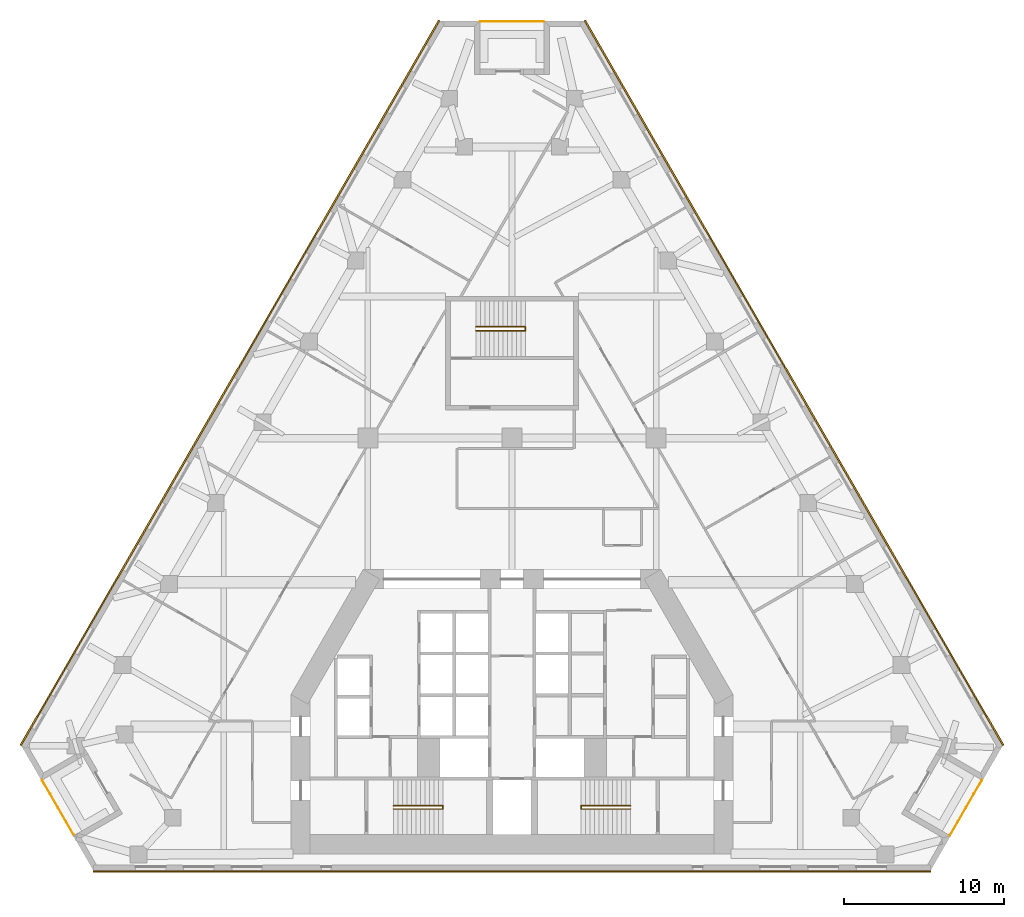
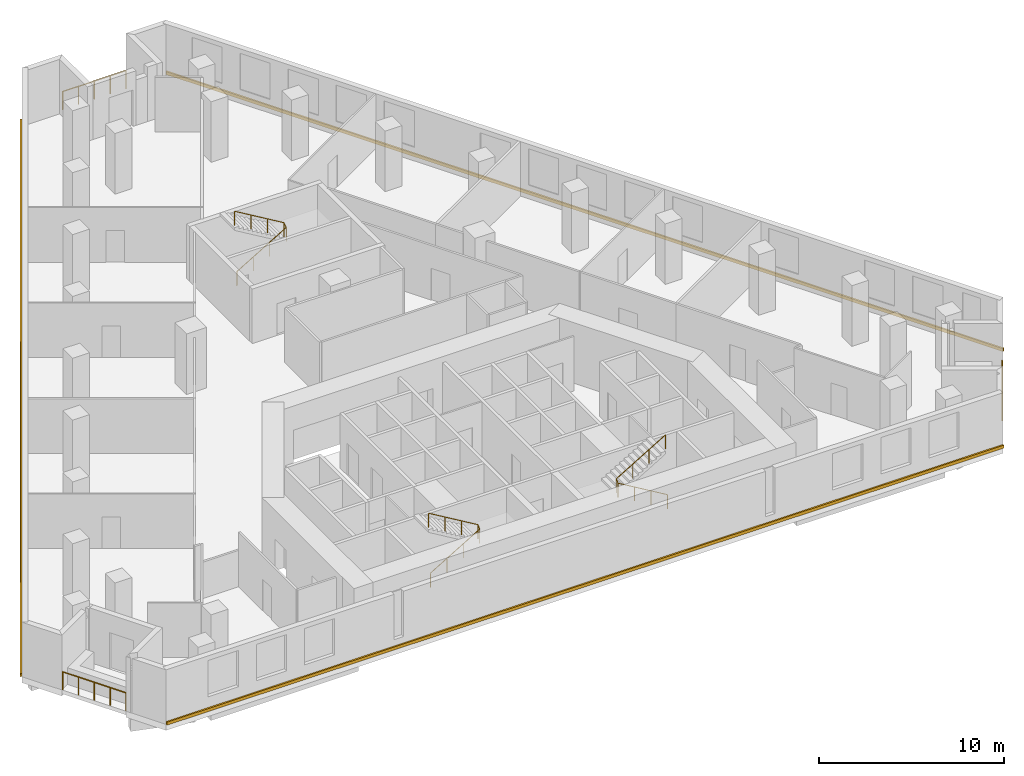
# One storey, part 9 of 9: 6 railings, 3 coverings.
"""IFC4 building model written with IfcOpenShell, lengths in metres."""

from ifc_helpers import new_model, si_unit, direction, frame, origin, origin_2d, place, context, subcontext, project, spatial, polyline, circle, outline, extrude, material, type_object, element, save


model = new_model("IFC4")

# Units and contexts
model_context = context("Model", 3, precision=1e-05, world=origin(), true_north=direction((0.0, 1.0)))
body_context = subcontext(model_context, "Body", "Model", "MODEL_VIEW")
ifc_project = project(units=[si_unit("LENGTHUNIT", "METRE"), si_unit("AREAUNIT", "SQUARE_METRE"), si_unit("VOLUMEUNIT", "CUBIC_METRE"), si_unit("PLANEANGLEUNIT", "RADIAN"), si_unit("MASSUNIT", "GRAM", prefix="KILO")], contexts=[model_context])

# Site, building, storey
site_placement = place(None, origin())
site = spatial("IfcSite", under=ifc_project, at=site_placement, CompositionType="ELEMENT")
building_placement = place(site_placement, origin())
building = spatial("IfcBuilding", under=site, at=building_placement, Name="Fogline Exchange Tower", CompositionType="ELEMENT")
storey_placement = place(building_placement, frame((0.0, 0.0, 100.10009765625)))
storey = spatial("IfcBuildingStorey", under=building, at=storey_placement, Name="L21", CompositionType="ELEMENT", Elevation=100.10009765625)

# Railings
ifc_material_1 = material(Name="Stainless steel 304", Category="steel")
railing_type_1 = type_object("IfcRailingType", Name="G1", PredefinedType="GUARDRAIL", material=ifc_material_1)
railing_1_placement = place(storey_placement, frame((-29.334228515625, 5.635986328125, 0.0)))
element("IfcRailing", 1, at=railing_1_placement, inside=storey, type_object=railing_type_1, Name="Balcony guard L21 SW", PredefinedType="GUARDRAIL", context=body_context, shape_type="SweptSolid", body=[
    extrude(circle(Radius=0.02392578125, at=origin_2d()), frame((0.0, 0.0, 1.17578125), z_axis=(0.500000102728, -0.866025344474, 0.0), x_axis=(0.866025344474, 0.500000102728, 0.0)), (0.0, 0.0, 1.0), 3.9580078125),
    extrude(circle(Radius=0.02099609375, at=origin_2d()), origin(), (0.0, 0.0, 1.0), 1.15185546875),
    extrude(circle(Radius=0.02099609375, at=origin_2d()), frame((0.49462890625, -0.85693359375, 0.0)), (0.0, 0.0, 1.0), 1.15185546875),
    extrude(circle(Radius=0.02099609375, at=origin_2d()), frame((0.989501953125, -1.7138671875, 0.0)), (0.0, 0.0, 1.0), 1.15185546875),
    extrude(circle(Radius=0.02099609375, at=origin_2d()), frame((1.484375, -2.57080078125, 0.0)), (0.0, 0.0, 1.0), 1.15185546875),
    extrude(circle(Radius=0.02099609375, at=origin_2d()), frame((1.97900390625, -3.427734375, 0.0)), (0.0, 0.0, 1.0), 1.15185546875),
])
railing_2_placement = place(storey_placement, frame((27.355224609375, 2.208251953125, 0.0)))
element("IfcRailing", 2, at=railing_2_placement, inside=storey, type_object=railing_type_1, Name="Balcony guard L21 SE", PredefinedType="GUARDRAIL", context=body_context, shape_type="SweptSolid", body=[
    extrude(circle(Radius=0.02392578125, at=origin_2d()), frame((0.0, 0.0, 1.17578125), z_axis=(0.500000102728, 0.866025344474, 0.0), x_axis=(-0.866025344474, 0.500000102728, 0.0)), (0.0, 0.0, 1.0), 3.9580078125),
    extrude(circle(Radius=0.02099609375, at=origin_2d()), origin(), (0.0, 0.0, 1.0), 1.15185546875),
    extrude(circle(Radius=0.02099609375, at=origin_2d()), frame((0.49462890625, 0.85693359375, 0.0)), (0.0, 0.0, 1.0), 1.15185546875),
    extrude(circle(Radius=0.02099609375, at=origin_2d()), frame((0.989501953125, 1.7138671875, 0.0)), (0.0, 0.0, 1.0), 1.15185546875),
    extrude(circle(Radius=0.02099609375, at=origin_2d()), frame((1.484375, 2.57080078125, 0.0)), (0.0, 0.0, 1.0), 1.15185546875),
    extrude(circle(Radius=0.02099609375, at=origin_2d()), frame((1.97900390625, 3.427734375, 0.0)), (0.0, 0.0, 1.0), 1.15185546875),
])
railing_3_placement = place(storey_placement, frame((1.97900390625, 53.0166015625, 0.0)))
element("IfcRailing", 3, at=railing_3_placement, inside=storey, type_object=railing_type_1, Name="Balcony guard L21 N", PredefinedType="GUARDRAIL", context=body_context, shape_type="SweptSolid", body=[
    extrude(circle(Radius=0.02392578125, at=origin_2d()), frame((0.0, 0.0, 1.17578125), z_axis=(-1.0, 0.0, 0.0), x_axis=(0.0, -1.0, 0.0)), (0.0, 0.0, 1.0), 3.9580078125),
    extrude(circle(Radius=0.02099609375, at=origin_2d()), origin(), (0.0, 0.0, 1.0), 1.15185546875),
    extrude(circle(Radius=0.02099609375, at=origin_2d()), frame((-0.989501953125, 0.0, 0.0)), (0.0, 0.0, 1.0), 1.15185546875),
    extrude(circle(Radius=0.02099609375, at=origin_2d()), frame((-1.97900390625, 0.0, 0.0)), (0.0, 0.0, 1.0), 1.15185546875),
    extrude(circle(Radius=0.02099609375, at=origin_2d()), frame((-2.968505859375, 0.0, 0.0)), (0.0, 0.0, 1.0), 1.15185546875),
    extrude(circle(Radius=0.02099609375, at=origin_2d()), frame((-3.9580078125, 0.0, 0.0)), (0.0, 0.0, 1.0), 1.15185546875),
])
ifc_material_2 = material(Name="Steel Q235B", Category="steel")
railing_type_2 = type_object("IfcRailingType", Name="RL-HR", PredefinedType="HANDRAIL", material=ifc_material_2)
railing_4_placement = place(storey_placement, frame((-7.39990234375, 3.85009765625, 0.16650390625)))
element("IfcRailing", 4, at=railing_4_placement, inside=storey, type_object=railing_type_2, Name="Handrail ST1", PredefinedType="HANDRAIL", context=body_context, shape_type="SweptSolid", body=[
    extrude(circle(Radius=0.02392578125, at=origin_2d()), frame((0.0, 0.0, 0.92578125), z_axis=(0.859260807169, 0.0, 0.511537745687), x_axis=(0.0, 1.0, 0.0)), (0.0, 0.0, 1.0), 3.584228515625),
    extrude(circle(Radius=0.02392578125, at=origin_2d()), frame((3.079833984375, 0.0, 2.75927734375), z_axis=(0.0, 0.768451954486, 0.639907488351), x_axis=(-1.0, 0.0, 0.0)), (0.0, 0.0, 1.0), 0.26025390625),
    extrude(circle(Radius=0.02392578125, at=origin_2d()), frame((3.079833984375, 0.199951171875, 2.92578125), z_axis=(-0.859260807169, 0.0, 0.511537745687), x_axis=(0.0, -1.0, 0.0)), (0.0, 0.0, 1.0), 3.584228515625),
    extrude(circle(Radius=0.02099609375, at=origin_2d()), origin(), (0.0, 0.0, 1.0), 0.90185546875),
    extrude(circle(Radius=0.02099609375, at=origin_2d()), frame((1.026611328125, 0.0, 0.611083984375)), (0.0, 0.0, 1.0), 0.90185546875),
    extrude(circle(Radius=0.02099609375, at=origin_2d()), frame((2.05322265625, 0.0, 1.222412109375)), (0.0, 0.0, 1.0), 0.90185546875),
    extrude(circle(Radius=0.02099609375, at=origin_2d()), frame((3.079833984375, 0.0, 1.83349609375)), (0.0, 0.0, 1.0), 0.90185546875),
    extrude(circle(Radius=0.02099609375, at=origin_2d()), frame((3.079833984375, 0.199951171875, 2.0)), (0.0, 0.0, 1.0), 0.90185546875),
    extrude(circle(Radius=0.02099609375, at=origin_2d()), frame((2.05322265625, 0.199951171875, 2.611083984375)), (0.0, 0.0, 1.0), 0.90185546875),
    extrude(circle(Radius=0.02099609375, at=origin_2d()), frame((1.026611328125, 0.199951171875, 3.222412109375)), (0.0, 0.0, 1.0), 0.90185546875),
    extrude(circle(Radius=0.02099609375, at=origin_2d()), frame((0.0, 0.199951171875, 3.83349609375)), (0.0, 0.0, 1.0), 0.90185546875),
])
railing_5_placement = place(storey_placement, frame((7.39990234375, 3.85009765625, 0.16650390625)))
element("IfcRailing", 5, at=railing_5_placement, inside=storey, type_object=railing_type_2, Name="Handrail ST2", PredefinedType="HANDRAIL", context=body_context, shape_type="SweptSolid", body=[
    extrude(circle(Radius=0.02392578125, at=origin_2d()), frame((0.0, 0.0, 0.92578125), z_axis=(-0.859260807169, 0.0, 0.511537745687), x_axis=(0.0, -1.0, 0.0)), (0.0, 0.0, 1.0), 3.584228515625),
    extrude(circle(Radius=0.02392578125, at=origin_2d()), frame((-3.079833984375, 0.0, 2.75927734375), z_axis=(0.0, 0.768451954486, 0.639907488351), x_axis=(-1.0, 0.0, 0.0)), (0.0, 0.0, 1.0), 0.26025390625),
    extrude(circle(Radius=0.02392578125, at=origin_2d()), frame((-3.079833984375, 0.199951171875, 2.92578125), z_axis=(0.859260807169, 0.0, 0.511537745687), x_axis=(0.0, 1.0, 0.0)), (0.0, 0.0, 1.0), 3.584228515625),
    extrude(circle(Radius=0.02099609375, at=origin_2d()), origin(), (0.0, 0.0, 1.0), 0.90185546875),
    extrude(circle(Radius=0.02099609375, at=origin_2d()), frame((-1.026611328125, 0.0, 0.611083984375)), (0.0, 0.0, 1.0), 0.90185546875),
    extrude(circle(Radius=0.02099609375, at=origin_2d()), frame((-2.05322265625, 0.0, 1.222412109375)), (0.0, 0.0, 1.0), 0.90185546875),
    extrude(circle(Radius=0.02099609375, at=origin_2d()), frame((-3.079833984375, 0.0, 1.83349609375)), (0.0, 0.0, 1.0), 0.90185546875),
    extrude(circle(Radius=0.02099609375, at=origin_2d()), frame((-3.079833984375, 0.199951171875, 2.0)), (0.0, 0.0, 1.0), 0.90185546875),
    extrude(circle(Radius=0.02099609375, at=origin_2d()), frame((-2.05322265625, 0.199951171875, 2.611083984375)), (0.0, 0.0, 1.0), 0.90185546875),
    extrude(circle(Radius=0.02099609375, at=origin_2d()), frame((-1.026611328125, 0.199951171875, 3.222412109375)), (0.0, 0.0, 1.0), 0.90185546875),
    extrude(circle(Radius=0.02099609375, at=origin_2d()), frame((0.0, 0.199951171875, 3.83349609375)), (0.0, 0.0, 1.0), 0.90185546875),
])
railing_6_placement = place(storey_placement, frame((-2.25, 33.70703125, 0.16650390625)))
element("IfcRailing", 6, at=railing_6_placement, inside=storey, type_object=railing_type_2, Name="Handrail ST3", PredefinedType="HANDRAIL", context=body_context, shape_type="SweptSolid", body=[
    extrude(circle(Radius=0.02392578125, at=origin_2d()), frame((0.0, 0.0, 0.92578125), z_axis=(0.85927862911, 0.0, 0.511507807912), x_axis=(0.0, 1.0, 0.0)), (0.0, 0.0, 1.0), 3.58447265625),
    extrude(circle(Radius=0.02392578125, at=origin_2d()), frame((3.080078125, 0.0, 2.75927734375), z_axis=(0.0, 0.832300300006, 0.554325004496), x_axis=(-1.0, 0.0, 0.0)), (0.0, 0.0, 1.0), 0.30029296875),
    extrude(circle(Radius=0.02392578125, at=origin_2d()), frame((3.080078125, 0.25, 2.92578125), z_axis=(-0.85927862911, 0.0, 0.511507807912), x_axis=(0.0, -1.0, 0.0)), (0.0, 0.0, 1.0), 3.58447265625),
    extrude(circle(Radius=0.02099609375, at=origin_2d()), origin(), (0.0, 0.0, 1.0), 0.90185546875),
    extrude(circle(Radius=0.02099609375, at=origin_2d()), frame((1.026611328125, 0.0, 0.611083984375)), (0.0, 0.0, 1.0), 0.90185546875),
    extrude(circle(Radius=0.02099609375, at=origin_2d()), frame((2.053466796875, 0.0, 1.222412109375)), (0.0, 0.0, 1.0), 0.90185546875),
    extrude(circle(Radius=0.02099609375, at=origin_2d()), frame((3.080078125, 0.0, 1.83349609375)), (0.0, 0.0, 1.0), 0.90185546875),
    extrude(circle(Radius=0.02099609375, at=origin_2d()), frame((3.080078125, 0.25, 2.0)), (0.0, 0.0, 1.0), 0.90185546875),
    extrude(circle(Radius=0.02099609375, at=origin_2d()), frame((2.053466796875, 0.25, 2.611083984375)), (0.0, 0.0, 1.0), 0.90185546875),
    extrude(circle(Radius=0.02099609375, at=origin_2d()), frame((1.026611328125, 0.25, 3.222412109375)), (0.0, 0.0, 1.0), 0.90185546875),
    extrude(circle(Radius=0.02099609375, at=origin_2d()), frame((0.0, 0.25, 3.83349609375)), (0.0, 0.0, 1.0), 0.90185546875),
])

# Coverings
ifc_material_3 = material(Name="Brick masonry", Category="masonry")
covering_type = type_object("IfcCoveringType", Name="SB1", PredefinedType="CLADDING", material=ifc_material_3)
covering_1_placement = place(storey_placement, origin())
element("IfcCovering", 7, at=covering_1_placement, inside=storey, type_object=covering_type, Name="Stringcourse band L21 S", PredefinedType="CLADDING", context=body_context, shape_type="SweptSolid", body=[
    extrude(outline(polyline([(-26.137939453125, 0.0), (-26.137939453125, -0.10009765625), (26.137939453125, -0.10009765625), (26.137939453125, 0.0), (-26.137939453125, 0.0)])), origin(), (0.0, 0.0, 1.0), 0.199951171875),
])
covering_2_placement = place(storey_placement, origin())
element("IfcCovering", 8, at=covering_2_placement, inside=storey, type_object=covering_type, Name="Stringcourse band L21 E", PredefinedType="CLADDING", context=body_context, shape_type="SweptSolid", body=[
    extrude(outline(polyline([(30.637939453125, 7.794189453125), (30.724609375, 7.84423828125), (4.586669921875, 53.11669921875), (4.5, 53.066650390625), (30.637939453125, 7.794189453125)])), origin(), (0.0, 0.0, 1.0), 0.199951171875),
])
covering_3_placement = place(storey_placement, origin())
element("IfcCovering", 9, at=covering_3_placement, inside=storey, type_object=covering_type, Name="Stringcourse band L21 W", PredefinedType="CLADDING", context=body_context, shape_type="SweptSolid", body=[
    extrude(outline(polyline([(-4.5, 53.066650390625), (-4.586669921875, 53.11669921875), (-30.724609375, 7.84423828125), (-30.637939453125, 7.794189453125), (-4.5, 53.066650390625)])), origin(), (0.0, 0.0, 1.0), 0.199951171875),
])

save(model, "model.ifc")
